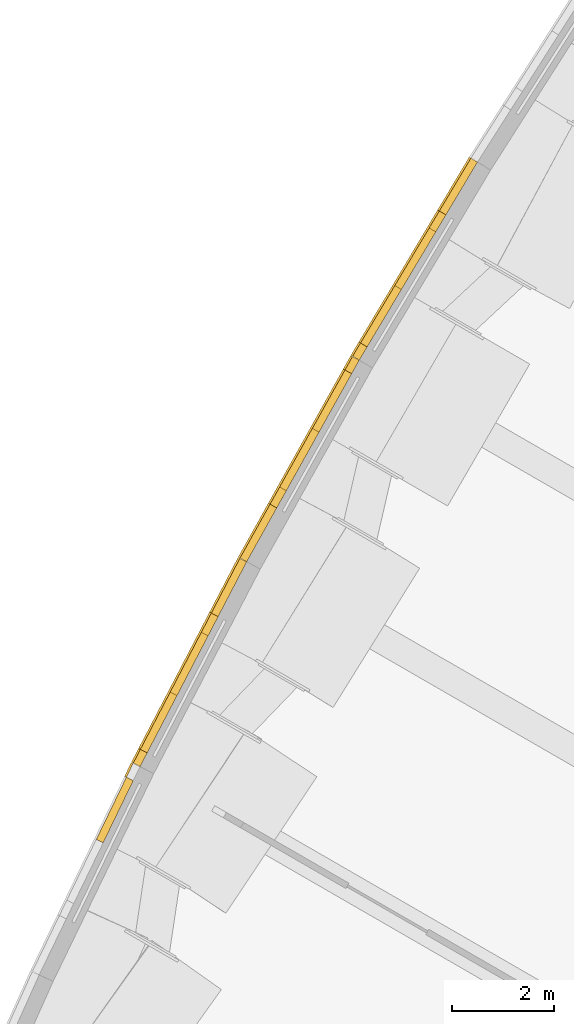
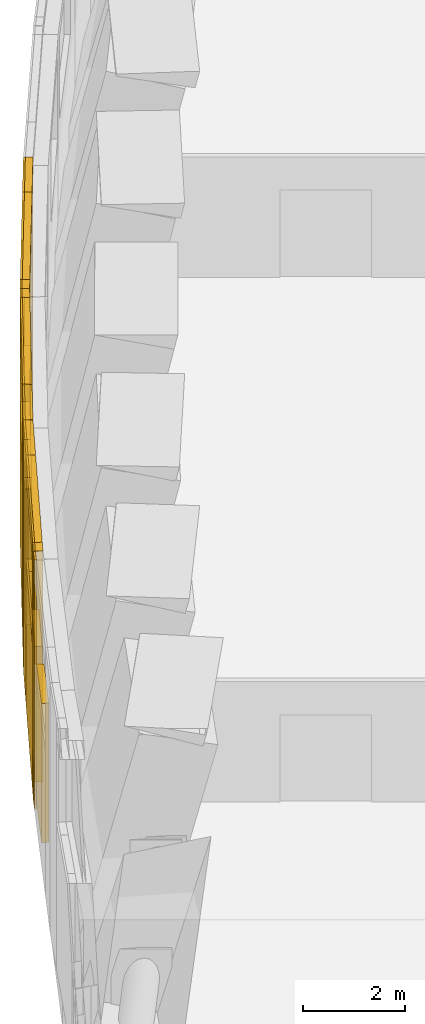
# One storey, part 19 of 28: 32 coverings.
"""IFC4 building model written with IfcOpenShell, lengths in metres."""

from ifc_helpers import new_model, si_unit, direction, frame, origin, origin_2d, place, context, subcontext, project, spatial, rectangle, extrude, material, layer, layer_set, type_object, element, save


model = new_model("IFC4")

# Units and contexts
model_context = context("Model", 3, precision=1e-05, world=origin(), true_north=direction((0.0, 1.0)))
body_context = subcontext(model_context, "Body", "Model", "MODEL_VIEW")
ifc_project = project(units=[si_unit("LENGTHUNIT", "METRE"), si_unit("AREAUNIT", "SQUARE_METRE"), si_unit("VOLUMEUNIT", "CUBIC_METRE"), si_unit("PLANEANGLEUNIT", "RADIAN"), si_unit("MASSUNIT", "GRAM", prefix="KILO")], contexts=[model_context])

# Site, building, storey
site_placement = place(None, origin())
site = spatial("IfcSite", under=ifc_project, at=site_placement, CompositionType="ELEMENT")
building_placement = place(site_placement, origin())
building = spatial("IfcBuilding", under=site, at=building_placement, Name="Trefoil Bronze Tower", CompositionType="ELEMENT")
storey_placement = place(building_placement, frame((0.0, 0.0, 92.10009765625)))
storey = spatial("IfcBuildingStorey", under=building, at=storey_placement, Name="L21", CompositionType="ELEMENT", Elevation=92.10009765625)

# Coverings
ifc_material_1 = material(Name="Bronze-finish aluminium rainscreen panel on aluminium rails", Category="aluminium")
ifc_layer_1 = layer(ifc_material_1, 0.0400390625)
ifc_layer_set_1 = layer_set([ifc_layer_1], Name="Bronze cladding panel 40")
covering_type_1 = type_object("IfcCoveringType", Name="Bronze cladding panel 40", PredefinedType="CLADDING", material=ifc_layer_set_1)
covering_1_placement = place(storey_placement, frame((-22.177001953125, 17.3125, 0.0), z_axis=(0.0, 0.0, 1.0), x_axis=(-0.512512794114, -0.858679588595, 0.0)))
element("IfcCovering", 1, at=covering_1_placement, inside=storey, type_object=covering_type_1, Name="Cladding panel L21 Face 3.8 piece 1", PredefinedType="CLADDING", context=body_context, shape_type="SweptSolid", body=[
    extrude(rectangle(XDim=1.200439453125, YDim=0.0400390625, at=origin_2d()), origin(), (0.0, 0.0, 1.0), 6.0),
])
covering_2_placement = place(storey_placement, frame((-24.09912109375, 14.092041015625, 0.0), z_axis=(0.0, 0.0, 1.0), x_axis=(-0.512512794114, -0.858679588595, 0.0)))
element("IfcCovering", 2, at=covering_2_placement, inside=storey, type_object=covering_type_1, Name="Cladding panel L21 Face 3.8 piece 2", PredefinedType="CLADDING", context=body_context, shape_type="SweptSolid", body=[
    extrude(rectangle(XDim=0.300048828125, YDim=0.0400390625, at=origin_2d()), origin(), (0.0, 0.0, 1.0), 6.0),
])
covering_3_placement = place(storey_placement, frame((-23.25341796875, 15.509033203125, 0.0), z_axis=(0.0, 0.0, 1.0), x_axis=(-0.512512794114, -0.858679588595, 0.0)))
element("IfcCovering", 3, at=covering_3_placement, inside=storey, type_object=covering_type_1, Name="Cladding panel L21 Face 3.8 piece 3", PredefinedType="CLADDING", context=body_context, shape_type="SweptSolid", body=[
    extrude(rectangle(XDim=3.0, YDim=0.0400390625, at=origin_2d()), origin(), (0.0, 0.0, 1.0), 3.5),
])
covering_4_placement = place(storey_placement, frame((-23.25341796875, 15.509033203125, 5.5), z_axis=(0.0, 0.0, 1.0), x_axis=(-0.512512794114, -0.858679588595, 0.0)))
element("IfcCovering", 4, at=covering_4_placement, inside=storey, type_object=covering_type_1, Name="Cladding panel L21 Face 3.8 piece 4", PredefinedType="CLADDING", context=body_context, shape_type="SweptSolid", body=[
    extrude(rectangle(XDim=3.0, YDim=0.0400390625, at=origin_2d()), origin(), (0.0, 0.0, 1.0), 0.5),
])
covering_5_placement = place(storey_placement, frame((-24.253662109375, 13.82421875, 0.0), z_axis=(0.0, 0.0, 1.0), x_axis=(-0.487381940377, -0.873188893765, 0.0)))
element("IfcCovering", 5, at=covering_5_placement, inside=storey, type_object=covering_type_1, Name="Cladding panel L21 Face 3.9 piece 1", PredefinedType="CLADDING", context=body_context, shape_type="SweptSolid", body=[
    extrude(rectangle(XDim=0.300048828125, YDim=0.0400390625, at=origin_2d()), origin(), (0.0, 0.0, 1.0), 6.0),
])
covering_6_placement = place(storey_placement, frame((-26.08154296875, 10.549560546875, 0.0), z_axis=(0.0, 0.0, 1.0), x_axis=(-0.487381940377, -0.873188893765, 0.0)))
element("IfcCovering", 6, at=covering_6_placement, inside=storey, type_object=covering_type_1, Name="Cladding panel L21 Face 3.9 piece 2", PredefinedType="CLADDING", context=body_context, shape_type="SweptSolid", body=[
    extrude(rectangle(XDim=1.200439453125, YDim=0.0400390625, at=origin_2d()), origin(), (0.0, 0.0, 1.0), 6.0),
])
covering_7_placement = place(storey_placement, frame((-25.057861328125, 12.383544921875, 0.0), z_axis=(0.0, 0.0, 1.0), x_axis=(-0.487381940377, -0.873188893765, 0.0)))
element("IfcCovering", 7, at=covering_7_placement, inside=storey, type_object=covering_type_1, Name="Cladding panel L21 Face 3.9 piece 3", PredefinedType="CLADDING", context=body_context, shape_type="SweptSolid", body=[
    extrude(rectangle(XDim=3.0, YDim=0.0400390625, at=origin_2d()), origin(), (0.0, 0.0, 1.0), 3.5),
])
covering_8_placement = place(storey_placement, frame((-25.057861328125, 12.383544921875, 5.5), z_axis=(0.0, 0.0, 1.0), x_axis=(-0.487381940377, -0.873188893765, 0.0)))
element("IfcCovering", 8, at=covering_8_placement, inside=storey, type_object=covering_type_1, Name="Cladding panel L21 Face 3.9 piece 4", PredefinedType="CLADDING", context=body_context, shape_type="SweptSolid", body=[
    extrude(rectangle(XDim=3.0, YDim=0.0400390625, at=origin_2d()), origin(), (0.0, 0.0, 1.0), 0.5),
])
covering_9_placement = place(storey_placement, frame((-26.656494140625, 9.4833984375, 0.0), z_axis=(0.0, 0.0, 1.0), x_axis=(-0.46182981834, -0.886968555752, 0.0)))
element("IfcCovering", 9, at=covering_9_placement, inside=storey, type_object=covering_type_1, Name="Cladding panel L21 Face 3.10 piece 1", PredefinedType="CLADDING", context=body_context, shape_type="SweptSolid", body=[
    extrude(rectangle(XDim=1.204345703125, YDim=0.0400390625, at=origin_2d()), origin(), (0.0, 0.0, 1.0), 6.0),
])
covering_10_placement = place(storey_placement, frame((-28.389404296875, 6.1552734375, 0.0), z_axis=(0.0, 0.0, 1.0), x_axis=(-0.46182981834, -0.886968555752, 0.0)))
element("IfcCovering", 10, at=covering_10_placement, inside=storey, type_object=covering_type_1, Name="Cladding panel L21 Face 3.10 piece 2", PredefinedType="CLADDING", context=body_context, shape_type="SweptSolid", body=[
    extrude(rectangle(XDim=0.300048828125, YDim=0.0400390625, at=origin_2d()), origin(), (0.0, 0.0, 1.0), 6.0),
])
covering_11_placement = place(storey_placement, frame((-27.62744140625, 7.618896484375, 0.0), z_axis=(0.0, 0.0, 1.0), x_axis=(-0.46182981834, -0.886968555752, 0.0)))
element("IfcCovering", 11, at=covering_11_placement, inside=storey, type_object=covering_type_1, Name="Cladding panel L21 Face 3.10 piece 3", PredefinedType="CLADDING", context=body_context, shape_type="SweptSolid", body=[
    extrude(rectangle(XDim=3.0, YDim=0.0400390625, at=origin_2d()), origin(), (0.0, 0.0, 1.0), 3.5),
])
covering_12_placement = place(storey_placement, frame((-27.62744140625, 7.618896484375, 5.5), z_axis=(0.0, 0.0, 1.0), x_axis=(-0.46182981834, -0.886968555752, 0.0)))
element("IfcCovering", 12, at=covering_12_placement, inside=storey, type_object=covering_type_1, Name="Cladding panel L21 Face 3.10 piece 4", PredefinedType="CLADDING", context=body_context, shape_type="SweptSolid", body=[
    extrude(rectangle(XDim=3.0, YDim=0.0400390625, at=origin_2d()), origin(), (0.0, 0.0, 1.0), 0.5),
])
covering_13_placement = place(storey_placement, frame((-28.5283203125, 5.87890625, 0.0), z_axis=(0.0, 0.0, 1.0), x_axis=(-0.43585534581, -0.900016731805, 0.0)))
element("IfcCovering", 13, at=covering_13_placement, inside=storey, type_object=covering_type_1, Name="Cladding panel L21 Face 3.11 piece 1", PredefinedType="CLADDING", context=body_context, shape_type="SweptSolid", body=[
    extrude(rectangle(XDim=0.300048828125, YDim=0.0400390625, at=origin_2d()), origin(), (0.0, 0.0, 1.0), 6.0),
])
ifc_material_2 = material(Name="Non-combustible mineral wool slab", Category="insulation")
ifc_layer_2 = layer(ifc_material_2, 0.14990234375)
ifc_layer_set_2 = layer_set([ifc_layer_2], Name="Rainscreen insulation 150")
covering_type_2 = type_object("IfcCoveringType", Name="Rainscreen insulation 150", PredefinedType="INSULATION", material=ifc_layer_set_2)
covering_14_placement = place(storey_placement, frame((-22.095458984375, 17.263671875, 0.19482421875), z_axis=(0.0, 0.0, 1.0), x_axis=(-0.512512794114, -0.858679588595, 0.0)))
element("IfcCovering", 14, at=covering_14_placement, inside=storey, type_object=covering_type_2, Name="Insulation L21 Face 3.8 piece 1", PredefinedType="INSULATION", context=body_context, shape_type="SweptSolid", body=[
    extrude(rectangle(XDim=1.200439453125, YDim=0.14990234375, at=origin_2d()), origin(), (0.0, 0.0, 1.0), 5.804931640625),
])
covering_15_placement = place(storey_placement, frame((-24.017578125, 14.04345703125, 0.11474609375), z_axis=(0.0, 0.0, 1.0), x_axis=(-0.512512794114, -0.858679588595, 0.0)))
element("IfcCovering", 15, at=covering_15_placement, inside=storey, type_object=covering_type_2, Name="Insulation L21 Face 3.8 piece 2", PredefinedType="INSULATION", context=body_context, shape_type="SweptSolid", body=[
    extrude(rectangle(XDim=0.300048828125, YDim=0.14990234375, at=origin_2d()), origin(), (0.0, 0.0, 1.0), 5.885009765625),
])
covering_16_placement = place(storey_placement, frame((-22.501708984375, 16.5830078125, 0.224853515625), z_axis=(0.0, 0.0, 1.0), x_axis=(-0.512512794114, -0.858679588595, 0.0)))
element("IfcCovering", 16, at=covering_16_placement, inside=storey, type_object=covering_type_2, Name="Insulation L21 Face 3.8 piece 3", PredefinedType="INSULATION", context=body_context, shape_type="SweptSolid", body=[
    extrude(rectangle(XDim=0.385009765625, YDim=0.14990234375, at=origin_2d()), origin(), (0.0, 0.0, 1.0), 3.27490234375),
])
covering_17_placement = place(storey_placement, frame((-22.93603515625, 15.855224609375, 0.0), z_axis=(0.0, 0.0, 1.0), x_axis=(-0.512512794114, -0.858679588595, 0.0)))
element("IfcCovering", 17, at=covering_17_placement, inside=storey, type_object=covering_type_2, Name="Insulation L21 Face 3.8 piece 3 part 2", PredefinedType="INSULATION", context=body_context, shape_type="SweptSolid", body=[
    extrude(rectangle(XDim=1.31005859375, YDim=0.14990234375, at=origin_2d()), origin(), (0.0, 0.0, 1.0), 3.5),
])
covering_18_placement = place(storey_placement, frame((-23.606201171875, 14.732666015625, 0.19970703125), z_axis=(0.0, 0.0, 1.0), x_axis=(-0.512512794114, -0.858679588595, 0.0)))
element("IfcCovering", 18, at=covering_18_placement, inside=storey, type_object=covering_type_2, Name="Insulation L21 Face 3.8 piece 3 part 3", PredefinedType="INSULATION", context=body_context, shape_type="SweptSolid", body=[
    extrude(rectangle(XDim=1.304931640625, YDim=0.14990234375, at=origin_2d()), origin(), (0.0, 0.0, 1.0), 3.300048828125),
])
covering_19_placement = place(storey_placement, frame((-23.171875, 15.460205078125, 5.5), z_axis=(0.0, 0.0, 1.0), x_axis=(-0.512512794114, -0.858679588595, 0.0)))
element("IfcCovering", 19, at=covering_19_placement, inside=storey, type_object=covering_type_2, Name="Insulation L21 Face 3.8 piece 4", PredefinedType="INSULATION", context=body_context, shape_type="SweptSolid", body=[
    extrude(rectangle(XDim=3.0, YDim=0.14990234375, at=origin_2d()), origin(), (0.0, 0.0, 1.0), 0.5),
])
covering_20_placement = place(storey_placement, frame((-24.170654296875, 13.778076171875, 0.11474609375), z_axis=(0.0, 0.0, 1.0), x_axis=(-0.487381940377, -0.873188893765, 0.0)))
element("IfcCovering", 20, at=covering_20_placement, inside=storey, type_object=covering_type_2, Name="Insulation L21 Face 3.9 piece 1", PredefinedType="INSULATION", context=body_context, shape_type="SweptSolid", body=[
    extrude(rectangle(XDim=0.300048828125, YDim=0.14990234375, at=origin_2d()), origin(), (0.0, 0.0, 1.0), 5.885009765625),
])
covering_21_placement = place(storey_placement, frame((-25.99853515625, 10.50341796875, 0.19482421875), z_axis=(0.0, 0.0, 1.0), x_axis=(-0.487381940377, -0.873188893765, 0.0)))
element("IfcCovering", 21, at=covering_21_placement, inside=storey, type_object=covering_type_2, Name="Insulation L21 Face 3.9 piece 2", PredefinedType="INSULATION", context=body_context, shape_type="SweptSolid", body=[
    extrude(rectangle(XDim=1.200439453125, YDim=0.14990234375, at=origin_2d()), origin(), (0.0, 0.0, 1.0), 5.804931640625),
])
covering_22_placement = place(storey_placement, frame((-24.561767578125, 13.077392578125, 0.19970703125), z_axis=(0.0, 0.0, 1.0), x_axis=(-0.487381940377, -0.873188893765, 0.0)))
element("IfcCovering", 22, at=covering_22_placement, inside=storey, type_object=covering_type_2, Name="Insulation L21 Face 3.9 piece 3", PredefinedType="INSULATION", context=body_context, shape_type="SweptSolid", body=[
    extrude(rectangle(XDim=1.304931640625, YDim=0.14990234375, at=origin_2d()), origin(), (0.0, 0.0, 1.0), 3.300048828125),
])
covering_23_placement = place(storey_placement, frame((-25.199462890625, 11.93505859375, 0.0), z_axis=(0.0, 0.0, 1.0), x_axis=(-0.487381940377, -0.873188893765, 0.0)))
element("IfcCovering", 23, at=covering_23_placement, inside=storey, type_object=covering_type_2, Name="Insulation L21 Face 3.9 piece 3 part 2", PredefinedType="INSULATION", context=body_context, shape_type="SweptSolid", body=[
    extrude(rectangle(XDim=1.31103515625, YDim=0.14990234375, at=origin_2d()), origin(), (0.0, 0.0, 1.0), 3.5),
])
covering_24_placement = place(storey_placement, frame((-25.612548828125, 11.195068359375, 0.224853515625), z_axis=(0.0, 0.0, 1.0), x_axis=(-0.487381940377, -0.873188893765, 0.0)))
element("IfcCovering", 24, at=covering_24_placement, inside=storey, type_object=covering_type_2, Name="Insulation L21 Face 3.9 piece 3 part 3", PredefinedType="INSULATION", context=body_context, shape_type="SweptSolid", body=[
    extrude(rectangle(XDim=0.384033203125, YDim=0.14990234375, at=origin_2d()), origin(), (0.0, 0.0, 1.0), 3.27490234375),
])
covering_25_placement = place(storey_placement, frame((-24.974853515625, 12.337158203125, 5.5), z_axis=(0.0, 0.0, 1.0), x_axis=(-0.487381940377, -0.873188893765, 0.0)))
element("IfcCovering", 25, at=covering_25_placement, inside=storey, type_object=covering_type_2, Name="Insulation L21 Face 3.9 piece 4", PredefinedType="INSULATION", context=body_context, shape_type="SweptSolid", body=[
    extrude(rectangle(XDim=3.0, YDim=0.14990234375, at=origin_2d()), origin(), (0.0, 0.0, 1.0), 0.5),
])
covering_26_placement = place(storey_placement, frame((-26.572265625, 9.439453125, 0.15478515625), z_axis=(0.0, 0.0, 1.0), x_axis=(-0.46182981834, -0.886968555752, 0.0)))
element("IfcCovering", 26, at=covering_26_placement, inside=storey, type_object=covering_type_2, Name="Insulation L21 Face 3.10 piece 1", PredefinedType="INSULATION", context=body_context, shape_type="SweptSolid", body=[
    extrude(rectangle(XDim=1.204345703125, YDim=0.14990234375, at=origin_2d()), origin(), (0.0, 0.0, 1.0), 5.844970703125),
])
covering_27_placement = place(storey_placement, frame((-28.30517578125, 6.111328125, 0.125), z_axis=(0.0, 0.0, 1.0), x_axis=(-0.46182981834, -0.886968555752, 0.0)))
element("IfcCovering", 27, at=covering_27_placement, inside=storey, type_object=covering_type_2, Name="Insulation L21 Face 3.10 piece 2", PredefinedType="INSULATION", context=body_context, shape_type="SweptSolid", body=[
    extrude(rectangle(XDim=0.300048828125, YDim=0.14990234375, at=origin_2d()), origin(), (0.0, 0.0, 1.0), 5.875),
])
covering_28_placement = place(storey_placement, frame((-26.948486328125, 8.716796875, 0.1748046875), z_axis=(0.0, 0.0, 1.0), x_axis=(-0.46182981834, -0.886968555752, 0.0)))
element("IfcCovering", 28, at=covering_28_placement, inside=storey, type_object=covering_type_2, Name="Insulation L21 Face 3.10 piece 3", PredefinedType="INSULATION", context=body_context, shape_type="SweptSolid", body=[
    extrude(rectangle(XDim=0.425048828125, YDim=0.14990234375, at=origin_2d()), origin(), (0.0, 0.0, 1.0), 3.324951171875),
])
covering_29_placement = place(storey_placement, frame((-27.349609375, 7.9462890625, 0.0), z_axis=(0.0, 0.0, 1.0), x_axis=(-0.46182981834, -0.886968555752, 0.0)))
element("IfcCovering", 29, at=covering_29_placement, inside=storey, type_object=covering_type_2, Name="Insulation L21 Face 3.10 piece 3 part 2", PredefinedType="INSULATION", context=body_context, shape_type="SweptSolid", body=[
    extrude(rectangle(XDim=1.3125, YDim=0.14990234375, at=origin_2d()), origin(), (0.0, 0.0, 1.0), 3.5),
])
covering_30_placement = place(storey_placement, frame((-27.9443359375, 6.804443359375, 0.244873046875), z_axis=(0.0, 0.0, 1.0), x_axis=(-0.46182981834, -0.886968555752, 0.0)))
element("IfcCovering", 30, at=covering_30_placement, inside=storey, type_object=covering_type_2, Name="Insulation L21 Face 3.10 piece 3 part 3", PredefinedType="INSULATION", context=body_context, shape_type="SweptSolid", body=[
    extrude(rectangle(XDim=1.2626953125, YDim=0.14990234375, at=origin_2d()), origin(), (0.0, 0.0, 1.0), 3.2548828125),
])
covering_31_placement = place(storey_placement, frame((-27.543212890625, 7.574951171875, 5.5), z_axis=(0.0, 0.0, 1.0), x_axis=(-0.46182981834, -0.886968555752, 0.0)))
element("IfcCovering", 31, at=covering_31_placement, inside=storey, type_object=covering_type_2, Name="Insulation L21 Face 3.10 piece 4", PredefinedType="INSULATION", context=body_context, shape_type="SweptSolid", body=[
    extrude(rectangle(XDim=3.0, YDim=0.14990234375, at=origin_2d()), origin(), (0.0, 0.0, 1.0), 0.5),
])
covering_32_placement = place(storey_placement, frame((-28.80224609375, 5.094970703125, 0.14990234375), z_axis=(0.0, 0.0, 1.0), x_axis=(-0.43585534581, -0.900016731805, 0.0)))
element("IfcCovering", 32, at=covering_32_placement, inside=storey, type_object=covering_type_2, Name="Insulation L21 Face 3.11 piece 3", PredefinedType="INSULATION", context=body_context, shape_type="SweptSolid", body=[
    extrude(rectangle(XDim=1.35009765625, YDim=0.14990234375, at=origin_2d()), origin(), (0.0, 0.0, 1.0), 3.35009765625),
])

save(model, "model.ifc")
